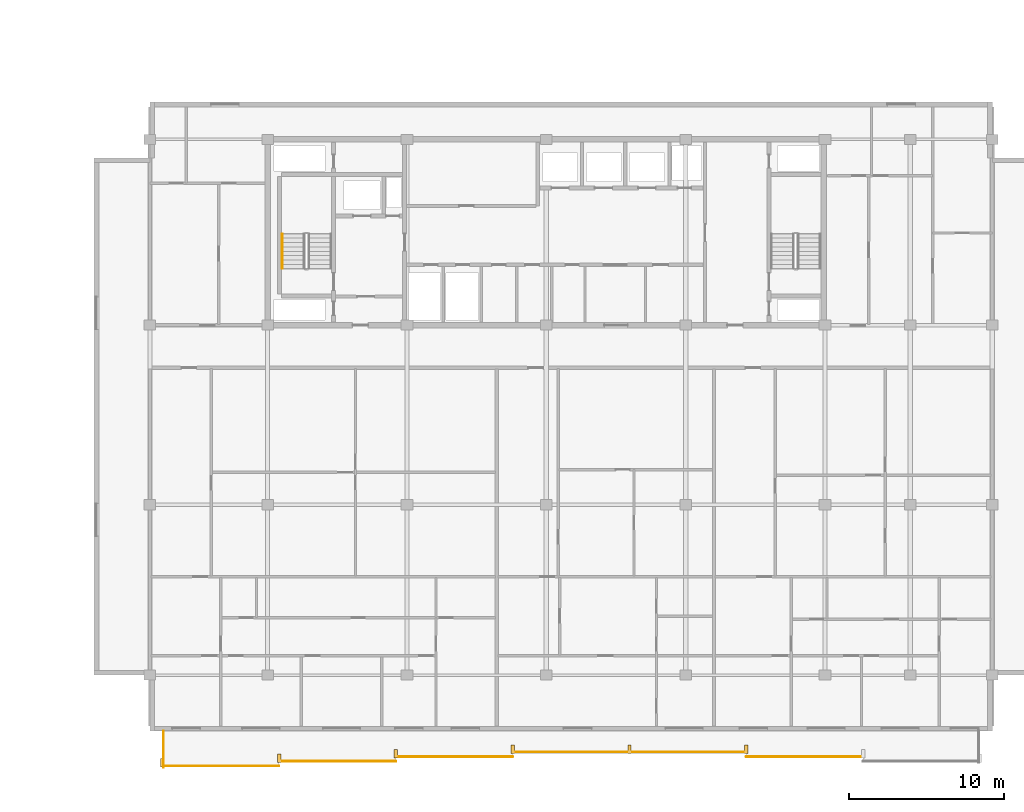
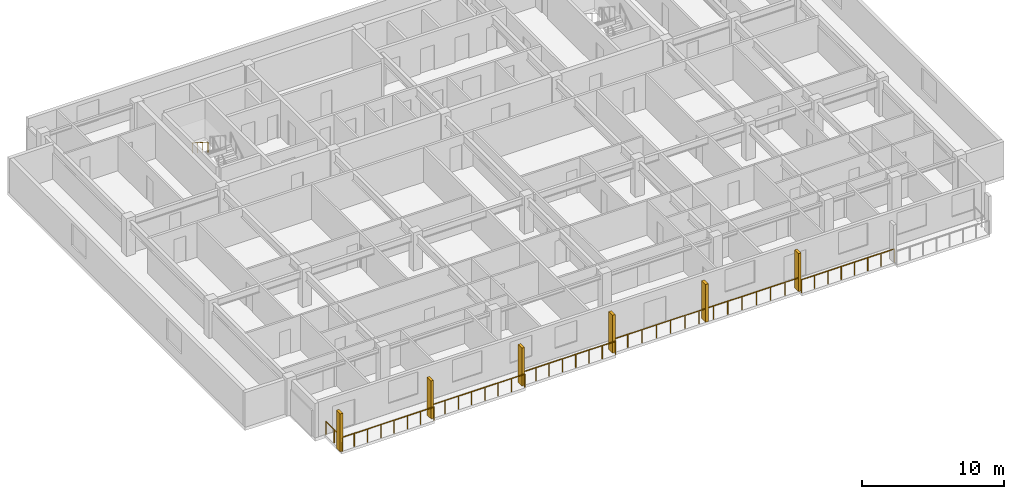
# One storey, part 18 of 22: 7 railings, 6 shading devices.
"""IFC4 building model written with IfcOpenShell, lengths in metres."""

from ifc_helpers import new_model, si_unit, direction, frame, origin, origin_2d, place, context, subcontext, project, spatial, rectangle, circle, extrude, material, type_object, element, save


model = new_model("IFC4")

# Units and contexts
model_context = context("Model", 3, precision=1e-05, world=origin(), true_north=direction((0.0, 1.0)))
body_context = subcontext(model_context, "Body", "Model", "MODEL_VIEW")
ifc_project = project(units=[si_unit("LENGTHUNIT", "METRE"), si_unit("AREAUNIT", "SQUARE_METRE"), si_unit("VOLUMEUNIT", "CUBIC_METRE"), si_unit("PLANEANGLEUNIT", "RADIAN"), si_unit("MASSUNIT", "GRAM", prefix="KILO")], contexts=[model_context])

# Site, building, storey
site_placement = place(None, origin())
site = spatial("IfcSite", under=ifc_project, at=site_placement, CompositionType="ELEMENT")
building_placement = place(site_placement, origin())
building = spatial("IfcBuilding", under=site, at=building_placement, Name="Korimba Cascade Residences", CompositionType="ELEMENT")
storey_placement = place(building_placement, frame((0.0, 0.0, 197.85009765625)))
storey = spatial("IfcBuildingStorey", under=building, at=storey_placement, Name="L57", CompositionType="ELEMENT", Elevation=197.85009765625)

# Railings
ifc_material_1 = material(Name="Laminated Glass and Bronze Balustrade", Category="glass")
railing_type_1 = type_object("IfcRailingType", Name="RLG-LOG-1150", PredefinedType="BALUSTRADE", material=ifc_material_1)
railing_1_placement = place(storey_placement, frame((75.300048828125, -10.070068359375, 0.0)))
element("IfcRailing", 1, at=railing_1_placement, inside=storey, type_object=railing_type_1, Name="L57 Perimeter Guardrail RLG-L57-T2-LOG-01", PredefinedType="BALUSTRADE", context=body_context, shape_type="SweptSolid", body=[
    extrude(circle(Radius=0.02392578125, at=origin_2d()), frame((0.0, 0.0, 1.1259765625), z_axis=(1.0, 0.0, 0.0), x_axis=(0.0, 1.0, 0.0)), (0.0, 0.0, 1.0), 7.54296875),
    extrude(circle(Radius=0.02099609375, at=origin_2d()), origin(), (0.0, 0.0, 1.0), 1.101806640625),
    extrude(circle(Radius=0.02099609375, at=origin_2d()), frame((1.07763671875, 0.0, 0.0)), (0.0, 0.0, 1.0), 1.101806640625),
    extrude(circle(Radius=0.02099609375, at=origin_2d()), frame((2.155029296875, 0.0, 0.0)), (0.0, 0.0, 1.0), 1.101806640625),
    extrude(circle(Radius=0.02099609375, at=origin_2d()), frame((3.232666015625, 0.0, 0.0)), (0.0, 0.0, 1.0), 1.101806640625),
    extrude(circle(Radius=0.02099609375, at=origin_2d()), frame((4.310302734375, 0.0, 0.0)), (0.0, 0.0, 1.0), 1.101806640625),
    extrude(circle(Radius=0.02099609375, at=origin_2d()), frame((5.387939453125, 0.0, 0.0)), (0.0, 0.0, 1.0), 1.101806640625),
    extrude(circle(Radius=0.02099609375, at=origin_2d()), frame((6.46533203125, 0.0, 0.0)), (0.0, 0.0, 1.0), 1.101806640625),
    extrude(circle(Radius=0.02099609375, at=origin_2d()), frame((7.54296875, 0.0, 0.0)), (0.0, 0.0, 1.0), 1.101806640625),
])
railing_2_placement = place(storey_placement, frame((82.843017578125, -9.77001953125, 0.0)))
element("IfcRailing", 2, at=railing_2_placement, inside=storey, type_object=railing_type_1, Name="L57 Perimeter Guardrail RLG-L57-T2-LOG-02", PredefinedType="BALUSTRADE", context=body_context, shape_type="SweptSolid", body=[
    extrude(circle(Radius=0.02392578125, at=origin_2d()), frame((0.0, 0.0, 1.1259765625), z_axis=(1.0, 0.0, 0.0), x_axis=(0.0, 1.0, 0.0)), (0.0, 0.0, 1.0), 7.542724609375),
    extrude(circle(Radius=0.02099609375, at=origin_2d()), origin(), (0.0, 0.0, 1.0), 1.101806640625),
    extrude(circle(Radius=0.02099609375, at=origin_2d()), frame((1.07763671875, 0.0, 0.0)), (0.0, 0.0, 1.0), 1.101806640625),
    extrude(circle(Radius=0.02099609375, at=origin_2d()), frame((2.155029296875, 0.0, 0.0)), (0.0, 0.0, 1.0), 1.101806640625),
    extrude(circle(Radius=0.02099609375, at=origin_2d()), frame((3.232666015625, 0.0, 0.0)), (0.0, 0.0, 1.0), 1.101806640625),
    extrude(circle(Radius=0.02099609375, at=origin_2d()), frame((4.31005859375, 0.0, 0.0)), (0.0, 0.0, 1.0), 1.101806640625),
    extrude(circle(Radius=0.02099609375, at=origin_2d()), frame((5.3876953125, 0.0, 0.0)), (0.0, 0.0, 1.0), 1.101806640625),
    extrude(circle(Radius=0.02099609375, at=origin_2d()), frame((6.465087890625, 0.0, 0.0)), (0.0, 0.0, 1.0), 1.101806640625),
    extrude(circle(Radius=0.02099609375, at=origin_2d()), frame((7.542724609375, 0.0, 0.0)), (0.0, 0.0, 1.0), 1.101806640625),
])
railing_3_placement = place(storey_placement, frame((90.3857421875, -9.469970703125, 0.0)))
element("IfcRailing", 3, at=railing_3_placement, inside=storey, type_object=railing_type_1, Name="L57 Perimeter Guardrail RLG-L57-T2-LOG-03", PredefinedType="BALUSTRADE", context=body_context, shape_type="SweptSolid", body=[
    extrude(circle(Radius=0.02392578125, at=origin_2d()), frame((0.0, 0.0, 1.1259765625), z_axis=(1.0, 0.0, 0.0), x_axis=(0.0, 1.0, 0.0)), (0.0, 0.0, 1.0), 7.54296875),
    extrude(circle(Radius=0.02099609375, at=origin_2d()), origin(), (0.0, 0.0, 1.0), 1.101806640625),
    extrude(circle(Radius=0.02099609375, at=origin_2d()), frame((1.07763671875, 0.0, 0.0)), (0.0, 0.0, 1.0), 1.101806640625),
    extrude(circle(Radius=0.02099609375, at=origin_2d()), frame((2.155029296875, 0.0, 0.0)), (0.0, 0.0, 1.0), 1.101806640625),
    extrude(circle(Radius=0.02099609375, at=origin_2d()), frame((3.232666015625, 0.0, 0.0)), (0.0, 0.0, 1.0), 1.101806640625),
    extrude(circle(Radius=0.02099609375, at=origin_2d()), frame((4.310302734375, 0.0, 0.0)), (0.0, 0.0, 1.0), 1.101806640625),
    extrude(circle(Radius=0.02099609375, at=origin_2d()), frame((5.387939453125, 0.0, 0.0)), (0.0, 0.0, 1.0), 1.101806640625),
    extrude(circle(Radius=0.02099609375, at=origin_2d()), frame((6.46533203125, 0.0, 0.0)), (0.0, 0.0, 1.0), 1.101806640625),
    extrude(circle(Radius=0.02099609375, at=origin_2d()), frame((7.54296875, 0.0, 0.0)), (0.0, 0.0, 1.0), 1.101806640625),
])
railing_4_placement = place(storey_placement, frame((97.9287109375, -9.169921875, 0.0)))
element("IfcRailing", 4, at=railing_4_placement, inside=storey, type_object=railing_type_1, Name="L57 Perimeter Guardrail RLG-L57-T2-LOG-04", PredefinedType="BALUSTRADE", context=body_context, shape_type="SweptSolid", body=[
    extrude(circle(Radius=0.02392578125, at=origin_2d()), frame((0.0, 0.0, 1.1259765625), z_axis=(1.0, 0.0, 0.0), x_axis=(0.0, 1.0, 0.0)), (0.0, 0.0, 1.0), 15.085693359375),
    extrude(circle(Radius=0.02099609375, at=origin_2d()), origin(), (0.0, 0.0, 1.0), 1.101806640625),
    extrude(circle(Radius=0.02099609375, at=origin_2d()), frame((1.160400390625, 0.0, 0.0)), (0.0, 0.0, 1.0), 1.101806640625),
    extrude(circle(Radius=0.02099609375, at=origin_2d()), frame((2.32080078125, 0.0, 0.0)), (0.0, 0.0, 1.0), 1.101806640625),
    extrude(circle(Radius=0.02099609375, at=origin_2d()), frame((3.481201171875, 0.0, 0.0)), (0.0, 0.0, 1.0), 1.101806640625),
    extrude(circle(Radius=0.02099609375, at=origin_2d()), frame((4.641845703125, 0.0, 0.0)), (0.0, 0.0, 1.0), 1.101806640625),
    extrude(circle(Radius=0.02099609375, at=origin_2d()), frame((5.80224609375, 0.0, 0.0)), (0.0, 0.0, 1.0), 1.101806640625),
    extrude(circle(Radius=0.02099609375, at=origin_2d()), frame((6.962646484375, 0.0, 0.0)), (0.0, 0.0, 1.0), 1.101806640625),
    extrude(circle(Radius=0.02099609375, at=origin_2d()), frame((8.123046875, 0.0, 0.0)), (0.0, 0.0, 1.0), 1.101806640625),
    extrude(circle(Radius=0.02099609375, at=origin_2d()), frame((9.283447265625, 0.0, 0.0)), (0.0, 0.0, 1.0), 1.101806640625),
    extrude(circle(Radius=0.02099609375, at=origin_2d()), frame((10.44384765625, 0.0, 0.0)), (0.0, 0.0, 1.0), 1.101806640625),
    extrude(circle(Radius=0.02099609375, at=origin_2d()), frame((11.6044921875, 0.0, 0.0)), (0.0, 0.0, 1.0), 1.101806640625),
    extrude(circle(Radius=0.02099609375, at=origin_2d()), frame((12.764892578125, 0.0, 0.0)), (0.0, 0.0, 1.0), 1.101806640625),
    extrude(circle(Radius=0.02099609375, at=origin_2d()), frame((13.92529296875, 0.0, 0.0)), (0.0, 0.0, 1.0), 1.101806640625),
    extrude(circle(Radius=0.02099609375, at=origin_2d()), frame((15.085693359375, 0.0, 0.0)), (0.0, 0.0, 1.0), 1.101806640625),
])
railing_5_placement = place(storey_placement, frame((113.014404296875, -9.469970703125, 0.0)))
element("IfcRailing", 5, at=railing_5_placement, inside=storey, type_object=railing_type_1, Name="L57 Perimeter Guardrail RLG-L57-T2-LOG-05", PredefinedType="BALUSTRADE", context=body_context, shape_type="SweptSolid", body=[
    extrude(circle(Radius=0.02392578125, at=origin_2d()), frame((0.0, 0.0, 1.1259765625), z_axis=(1.0, 0.0, 0.0), x_axis=(0.0, 1.0, 0.0)), (0.0, 0.0, 1.0), 7.542724609375),
    extrude(circle(Radius=0.02099609375, at=origin_2d()), origin(), (0.0, 0.0, 1.0), 1.101806640625),
    extrude(circle(Radius=0.02099609375, at=origin_2d()), frame((1.07763671875, 0.0, 0.0)), (0.0, 0.0, 1.0), 1.101806640625),
    extrude(circle(Radius=0.02099609375, at=origin_2d()), frame((2.155029296875, 0.0, 0.0)), (0.0, 0.0, 1.0), 1.101806640625),
    extrude(circle(Radius=0.02099609375, at=origin_2d()), frame((3.232666015625, 0.0, 0.0)), (0.0, 0.0, 1.0), 1.101806640625),
    extrude(circle(Radius=0.02099609375, at=origin_2d()), frame((4.31005859375, 0.0, 0.0)), (0.0, 0.0, 1.0), 1.101806640625),
    extrude(circle(Radius=0.02099609375, at=origin_2d()), frame((5.3876953125, 0.0, 0.0)), (0.0, 0.0, 1.0), 1.101806640625),
    extrude(circle(Radius=0.02099609375, at=origin_2d()), frame((6.465087890625, 0.0, 0.0)), (0.0, 0.0, 1.0), 1.101806640625),
    extrude(circle(Radius=0.02099609375, at=origin_2d()), frame((7.542724609375, 0.0, 0.0)), (0.0, 0.0, 1.0), 1.101806640625),
])
railing_6_placement = place(storey_placement, frame((75.3798828125, -7.800048828125, 0.0)))
element("IfcRailing", 6, at=railing_6_placement, inside=storey, type_object=railing_type_1, Name="L57 Perimeter Guardrail RLG-L57-T2-LOG-08", PredefinedType="BALUSTRADE", context=body_context, shape_type="SweptSolid", body=[
    extrude(circle(Radius=0.02392578125, at=origin_2d()), frame((0.0, 0.0, 1.1259765625), z_axis=(0.0, -1.0, 0.0), x_axis=(1.0, 0.0, 0.0)), (0.0, 0.0, 1.0), 2.349853515625),
    extrude(circle(Radius=0.02099609375, at=origin_2d()), origin(), (0.0, 0.0, 1.0), 1.101806640625),
    extrude(circle(Radius=0.02099609375, at=origin_2d()), frame((0.0, -1.1748046875, 0.0)), (0.0, 0.0, 1.0), 1.101806640625),
    extrude(circle(Radius=0.02099609375, at=origin_2d()), frame((0.0, -2.349853515625, 0.0)), (0.0, 0.0, 1.0), 1.101806640625),
])
ifc_material_2 = material(Name="Brushed Stainless Steel Handrail", Category="steel")
railing_type_2 = type_object("IfcRailingType", Name="RLG-ST-HR900", PredefinedType="HANDRAIL", material=ifc_material_2)
railing_7_placement = place(storey_placement, frame((83.050048828125, 24.2900390625, 1.98974609375)))
element("IfcRailing", 7, at=railing_7_placement, inside=storey, type_object=railing_type_2, Name="L57 ST-E1 stair handrail 2", PredefinedType="HANDRAIL", context=body_context, shape_type="SweptSolid", body=[
    extrude(circle(Radius=0.02392578125, at=origin_2d()), frame((0.0, 0.0, 0.8759765625), z_axis=(0.0, -0.840394893359, 0.541974559565), x_axis=(1.0, 0.0, 0.0)), (0.0, 0.0, 1.0), 2.665283203125),
    extrude(circle(Radius=0.02099609375, at=origin_2d()), origin(), (0.0, 0.0, 1.0), 0.851806640625),
    extrude(circle(Radius=0.02099609375, at=origin_2d()), frame((0.0, -0.74658203125, 0.4814453125)), (0.0, 0.0, 1.0), 0.851806640625),
    extrude(circle(Radius=0.02099609375, at=origin_2d()), frame((0.0, -1.493408203125, 0.963134765625)), (0.0, 0.0, 1.0), 0.851806640625),
    extrude(circle(Radius=0.02099609375, at=origin_2d()), frame((0.0, -2.239990234375, 1.444580078125)), (0.0, 0.0, 1.0), 0.851806640625),
])

# Shading devices
ifc_material_3 = material(Name="Honed Sandstone Precast Fin", Category="masonry")
shading_device_type = type_object("IfcShadingDeviceType", Name="SHD-FIN-550", PredefinedType="USERDEFINED", material=ifc_material_3)
for number, where, z_axis, x_axis, name in (
    (8, (75.300048828125, -9.875, 0.0), (0.0, 0.0, 1.0), (1.0, 0.0, 0.0), "L57 T2 Warm-Stone Loggia Fin 1"),
    (9, (82.843017578125, -9.574951171875, 0.0), (0.0, 0.0, 1.0), (1.0, 0.0, 0.0), "L57 T2 Warm-Stone Loggia Fin 2"),
    (10, (90.3857421875, -9.27490234375, 0.0), (0.0, 0.0, 1.0), (1.0, 0.0, 0.0), "L57 T2 Warm-Stone Loggia Fin 3"),
    (11, (97.9287109375, -8.97509765625, 0.0), (0.0, 0.0, 1.0), (1.0, 0.0, 0.0), "L57 T2 Warm-Stone Loggia Fin 4"),
    (12, (105.471435546875, -8.97509765625, 0.0), (0.0, 0.0, 1.0), (1.0, 0.0, 0.0), "L57 T2 Warm-Stone Loggia Fin 5"),
    (13, (113.014404296875, -8.97509765625, 0.0), (0.0, 0.0, 1.0), (1.0, 0.0, 0.0), "L57 T2 Warm-Stone Loggia Fin 6"),
):
    element("IfcShadingDevice", number, at=place(storey_placement, frame(where, z_axis=z_axis, x_axis=x_axis)), inside=storey, type_object=shading_device_type, Name=name, ObjectType="FIN", PredefinedType="USERDEFINED", context=body_context, shape_type="SweptSolid", body=[
        extrude(rectangle(XDim=0.219970703125, YDim=0.550048828125, at=origin_2d()), origin(), (0.0, 0.0, 1.0), 3.25),
    ])

save(model, "model.ifc")
